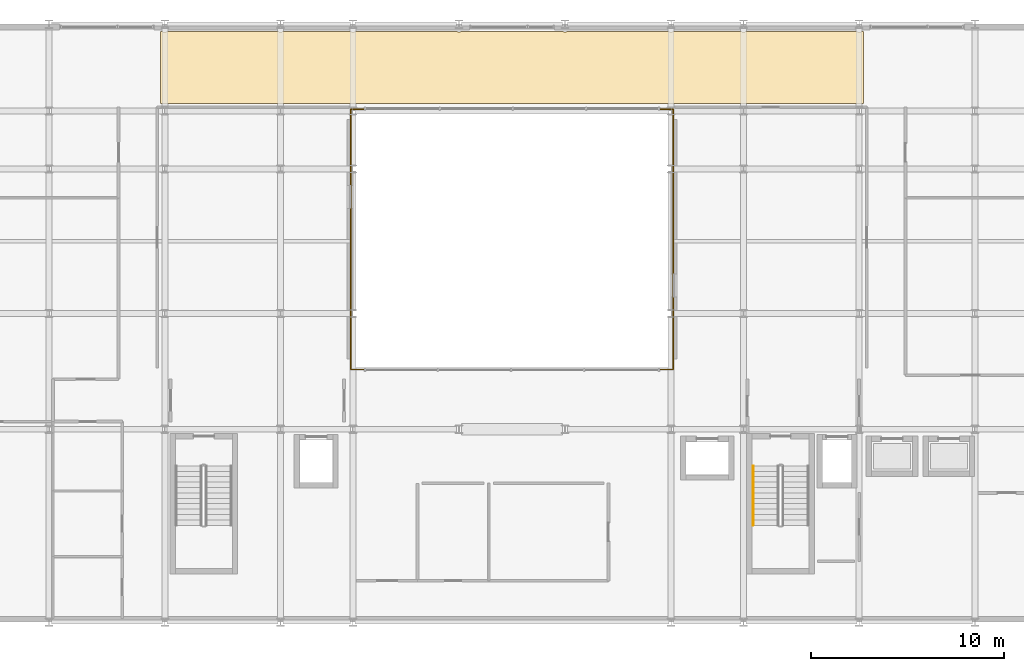
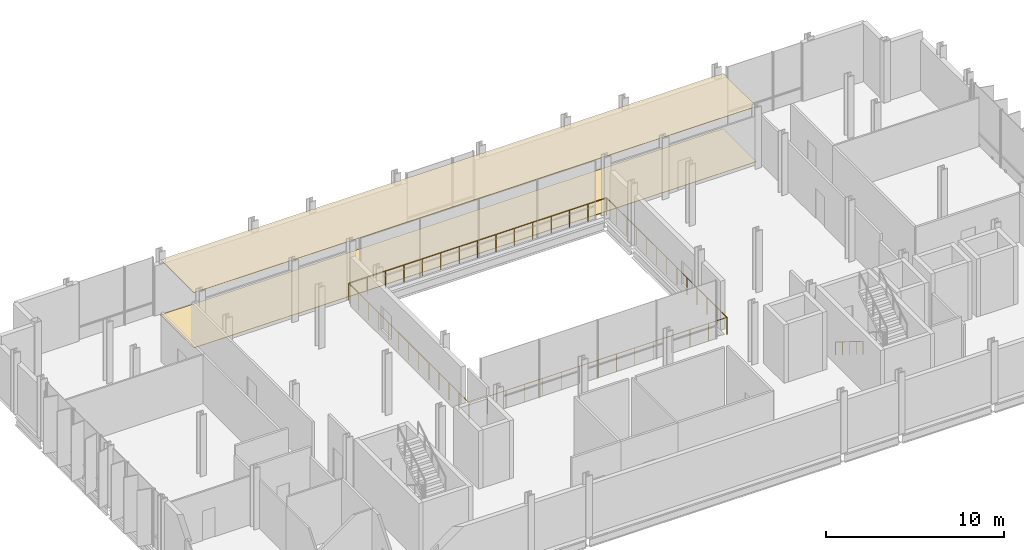
# One storey, part 30 of 32: 3 railings, 2 coverings.
"""IFC4 building model written with IfcOpenShell, lengths in metres."""

from ifc_helpers import new_model, si_unit, direction, frame, origin, origin_2d, place, context, subcontext, project, spatial, polyline, circle, outline, extrude, material, layer, layer_set, type_object, element, save


model = new_model("IFC4")

# Units and contexts
model_context = context("Model", 3, precision=1e-05, world=origin(), true_north=direction((0.0, 1.0)))
body_context = subcontext(model_context, "Body", "Model", "MODEL_VIEW")
ifc_project = project(units=[si_unit("LENGTHUNIT", "METRE"), si_unit("AREAUNIT", "SQUARE_METRE"), si_unit("VOLUMEUNIT", "CUBIC_METRE"), si_unit("PLANEANGLEUNIT", "RADIAN"), si_unit("MASSUNIT", "GRAM", prefix="KILO")], contexts=[model_context])

# Site, building, storey
site_placement = place(None, origin())
site = spatial("IfcSite", under=ifc_project, at=site_placement, CompositionType="ELEMENT")
building_placement = place(site_placement, origin())
building = spatial("IfcBuilding", under=site, at=building_placement, Name="Brevholm Reach", CompositionType="ELEMENT")
storey_placement = place(building_placement, frame((0.0, 0.0, 134.5)))
storey = spatial("IfcBuildingStorey", under=building, at=storey_placement, Name="L40", CompositionType="ELEMENT", Elevation=134.5)

# Coverings
ifc_material_1 = material(Name="Moisture-Resistant Skimmed Gypsum Plasterboard Ceiling", Category="gypsum")
ifc_layer_1 = layer(ifc_material_1, 0.030029296875)
ifc_layer_set_1 = layer_set([ifc_layer_1], Name="Moisture-Resistant Skimmed Gypsum Plasterboard Ceiling")
covering_type_1 = type_object("IfcCoveringType", Name="COV-CLG-GYP", PredefinedType="CEILING", material=ifc_layer_set_1)
covering_1_placement = place(storey_placement, frame((0.0, 0.0, 3.780029296875)))
element("IfcCovering", 1, at=covering_1_placement, inside=storey, type_object=covering_type_1, Name="L40 Suspended Ceiling L40-30", PredefinedType="CEILING", context=body_context, shape_type="SweptSolid", body=[
    extrude(outline(polyline([(11.780029296875, 30.6201171875), (11.876220703125, 30.6201171875), (11.8837890625, 30.6171875), (11.922119140625, 30.607666015625), (11.960693359375, 30.601806640625), (12.0, 30.60009765625), (12.039306640625, 30.601806640625), (12.077880859375, 30.607666015625), (12.1162109375, 30.6171875), (12.123779296875, 30.6201171875), (17.876220703125, 30.6201171875), (17.8837890625, 30.6171875), (17.922119140625, 30.607666015625), (17.960693359375, 30.601806640625), (18.0, 30.60009765625), (18.039306640625, 30.601806640625), (18.077880859375, 30.607666015625), (18.1162109375, 30.6171875), (18.123779296875, 30.6201171875), (21.626220703125, 30.6201171875), (21.6337890625, 30.6171875), (21.672119140625, 30.607666015625), (21.710693359375, 30.601806640625), (21.75, 30.60009765625), (21.789306640625, 30.601806640625), (21.827880859375, 30.607666015625), (21.8662109375, 30.6171875), (21.873779296875, 30.6201171875), (27.126220703125, 30.6201171875), (27.1337890625, 30.6171875), (27.172119140625, 30.607666015625), (27.210693359375, 30.601806640625), (27.25, 30.60009765625), (27.289306640625, 30.601806640625), (27.327880859375, 30.607666015625), (27.3662109375, 30.6171875), (27.373779296875, 30.6201171875), (32.626220703125, 30.6201171875), (32.6337890625, 30.6171875), (32.672119140625, 30.607666015625), (32.710693359375, 30.601806640625), (32.75, 30.60009765625), (32.789306640625, 30.601806640625), (32.827880859375, 30.607666015625), (32.8662109375, 30.6171875), (32.873779296875, 30.6201171875), (38.126220703125, 30.6201171875), (38.1337890625, 30.6171875), (38.172119140625, 30.607666015625), (38.210693359375, 30.601806640625), (38.25, 30.60009765625), (38.289306640625, 30.601806640625), (38.327880859375, 30.607666015625), (38.3662109375, 30.6171875), (38.373779296875, 30.6201171875), (41.876220703125, 30.6201171875), (41.8837890625, 30.6171875), (41.922119140625, 30.607666015625), (41.960693359375, 30.601806640625), (42.0, 30.60009765625), (42.039306640625, 30.601806640625), (42.077880859375, 30.607666015625), (42.1162109375, 30.6171875), (42.123779296875, 30.6201171875), (47.876220703125, 30.6201171875), (47.8837890625, 30.6171875), (47.922119140625, 30.607666015625), (47.960693359375, 30.601806640625), (48.0, 30.60009765625), (48.039306640625, 30.601806640625), (48.077880859375, 30.607666015625), (48.1162109375, 30.6171875), (48.123779296875, 30.6201171875), (48.219970703125, 30.6201171875), (48.219970703125, 26.8798828125), (48.123779296875, 26.8798828125), (48.1162109375, 26.8828125), (48.077880859375, 26.892333984375), (48.039306640625, 26.898193359375), (48.0, 26.89990234375), (47.960693359375, 26.898193359375), (47.922119140625, 26.892333984375), (47.8837890625, 26.8828125), (47.876220703125, 26.8798828125), (42.123779296875, 26.8798828125), (42.1162109375, 26.8828125), (42.077880859375, 26.892333984375), (42.039306640625, 26.898193359375), (42.0, 26.89990234375), (41.960693359375, 26.898193359375), (41.922119140625, 26.892333984375), (41.8837890625, 26.8828125), (41.876220703125, 26.8798828125), (38.373779296875, 26.8798828125), (38.3662109375, 26.8828125), (38.327880859375, 26.892333984375), (38.289306640625, 26.898193359375), (38.25, 26.89990234375), (38.210693359375, 26.898193359375), (38.172119140625, 26.892333984375), (38.1337890625, 26.8828125), (38.126220703125, 26.8798828125), (21.873779296875, 26.8798828125), (21.8662109375, 26.8828125), (21.827880859375, 26.892333984375), (21.789306640625, 26.898193359375), (21.75, 26.89990234375), (21.710693359375, 26.898193359375), (21.672119140625, 26.892333984375), (21.6337890625, 26.8828125), (21.626220703125, 26.8798828125), (21.58740234375, 26.8798828125), (21.585205078125, 26.880615234375), (21.567626953125, 26.883056640625), (21.550048828125, 26.884033203125), (18.111083984375, 26.884033203125), (18.077880859375, 26.892333984375), (18.039306640625, 26.898193359375), (18.0, 26.89990234375), (17.960693359375, 26.898193359375), (17.922119140625, 26.892333984375), (17.888916015625, 26.884033203125), (12.111083984375, 26.884033203125), (12.077880859375, 26.892333984375), (12.039306640625, 26.898193359375), (12.0, 26.89990234375), (11.960693359375, 26.898193359375), (11.922119140625, 26.892333984375), (11.888916015625, 26.884033203125), (11.780029296875, 26.884033203125), (11.780029296875, 30.6201171875)])), origin(), (0.0, 0.0, 1.0), 0.030029296875),
])
ifc_material_2 = material(Name="Honed Portland-Aggregate Resin Terrazzo Flooring", Category="concrete")
ifc_layer_2 = layer(ifc_material_2, 0.031982421875)
ifc_layer_set_2 = layer_set([ifc_layer_2], Name="Honed Portland-Aggregate Resin Terrazzo Flooring")
covering_type_2 = type_object("IfcCoveringType", Name="COV-FLR-TRZ", PredefinedType="FLOORING", material=ifc_layer_set_2)
covering_2_placement = place(storey_placement, origin())
element("IfcCovering", 2, at=covering_2_placement, inside=storey, type_object=covering_type_2, Name="L40 Floor Finish L40-30", PredefinedType="FLOORING", context=body_context, shape_type="SweptSolid", body=[
    extrude(outline(polyline([(11.780029296875, 30.6201171875), (11.876220703125, 30.6201171875), (11.8837890625, 30.6171875), (11.922119140625, 30.607666015625), (11.960693359375, 30.601806640625), (12.0, 30.60009765625), (12.039306640625, 30.601806640625), (12.077880859375, 30.607666015625), (12.1162109375, 30.6171875), (12.123779296875, 30.6201171875), (17.876220703125, 30.6201171875), (17.8837890625, 30.6171875), (17.922119140625, 30.607666015625), (17.960693359375, 30.601806640625), (18.0, 30.60009765625), (18.039306640625, 30.601806640625), (18.077880859375, 30.607666015625), (18.1162109375, 30.6171875), (18.123779296875, 30.6201171875), (21.626220703125, 30.6201171875), (21.6337890625, 30.6171875), (21.672119140625, 30.607666015625), (21.710693359375, 30.601806640625), (21.75, 30.60009765625), (21.789306640625, 30.601806640625), (21.827880859375, 30.607666015625), (21.8662109375, 30.6171875), (21.873779296875, 30.6201171875), (27.126220703125, 30.6201171875), (27.1337890625, 30.6171875), (27.172119140625, 30.607666015625), (27.210693359375, 30.601806640625), (27.25, 30.60009765625), (27.289306640625, 30.601806640625), (27.327880859375, 30.607666015625), (27.3662109375, 30.6171875), (27.373779296875, 30.6201171875), (32.626220703125, 30.6201171875), (32.6337890625, 30.6171875), (32.672119140625, 30.607666015625), (32.710693359375, 30.601806640625), (32.75, 30.60009765625), (32.789306640625, 30.601806640625), (32.827880859375, 30.607666015625), (32.8662109375, 30.6171875), (32.873779296875, 30.6201171875), (38.126220703125, 30.6201171875), (38.1337890625, 30.6171875), (38.172119140625, 30.607666015625), (38.210693359375, 30.601806640625), (38.25, 30.60009765625), (38.289306640625, 30.601806640625), (38.327880859375, 30.607666015625), (38.3662109375, 30.6171875), (38.373779296875, 30.6201171875), (41.876220703125, 30.6201171875), (41.8837890625, 30.6171875), (41.922119140625, 30.607666015625), (41.960693359375, 30.601806640625), (42.0, 30.60009765625), (42.039306640625, 30.601806640625), (42.077880859375, 30.607666015625), (42.1162109375, 30.6171875), (42.123779296875, 30.6201171875), (47.876220703125, 30.6201171875), (47.8837890625, 30.6171875), (47.922119140625, 30.607666015625), (47.960693359375, 30.601806640625), (48.0, 30.60009765625), (48.039306640625, 30.601806640625), (48.077880859375, 30.607666015625), (48.1162109375, 30.6171875), (48.123779296875, 30.6201171875), (48.219970703125, 30.6201171875), (48.219970703125, 26.8798828125), (48.123779296875, 26.8798828125), (48.1162109375, 26.8828125), (48.077880859375, 26.892333984375), (48.039306640625, 26.898193359375), (48.0, 26.89990234375), (47.960693359375, 26.898193359375), (47.922119140625, 26.892333984375), (47.8837890625, 26.8828125), (47.876220703125, 26.8798828125), (42.123779296875, 26.8798828125), (42.1162109375, 26.8828125), (42.077880859375, 26.892333984375), (42.039306640625, 26.898193359375), (42.0, 26.89990234375), (41.960693359375, 26.898193359375), (41.922119140625, 26.892333984375), (41.8837890625, 26.8828125), (41.876220703125, 26.8798828125), (38.373779296875, 26.8798828125), (38.3662109375, 26.8828125), (38.327880859375, 26.892333984375), (38.289306640625, 26.898193359375), (38.25, 26.89990234375), (38.210693359375, 26.898193359375), (38.172119140625, 26.892333984375), (38.1337890625, 26.8828125), (38.126220703125, 26.8798828125), (21.873779296875, 26.8798828125), (21.8662109375, 26.8828125), (21.827880859375, 26.892333984375), (21.789306640625, 26.898193359375), (21.75, 26.89990234375), (21.710693359375, 26.898193359375), (21.672119140625, 26.892333984375), (21.6337890625, 26.8828125), (21.626220703125, 26.8798828125), (21.58740234375, 26.8798828125), (21.585205078125, 26.880615234375), (21.567626953125, 26.883056640625), (21.550048828125, 26.884033203125), (18.111083984375, 26.884033203125), (18.077880859375, 26.892333984375), (18.039306640625, 26.898193359375), (18.0, 26.89990234375), (17.960693359375, 26.898193359375), (17.922119140625, 26.892333984375), (17.888916015625, 26.884033203125), (12.111083984375, 26.884033203125), (12.077880859375, 26.892333984375), (12.039306640625, 26.898193359375), (12.0, 26.89990234375), (11.960693359375, 26.898193359375), (11.922119140625, 26.892333984375), (11.888916015625, 26.884033203125), (11.780029296875, 26.884033203125), (11.780029296875, 30.6201171875)])), origin(), (0.0, 0.0, 1.0), 0.031982421875),
])

# Railings
ifc_material_3 = material(Name="Brushed Stainless Steel EN 1.4401 Continuous Handrail", Category="steel")
railing_type_1 = type_object("IfcRailingType", Name="RAL-HND-950", PredefinedType="HANDRAIL", material=ifc_material_3)
railing_1_placement = place(storey_placement, frame((42.5, 8.10009765625, 0.175048828125)))
element("IfcRailing", 3, at=railing_1_placement, inside=storey, type_object=railing_type_1, Name="L40 ST-2 stair handrail 1", PredefinedType="HANDRAIL", context=body_context, shape_type="SweptSolid", body=[
    extrude(circle(Radius=0.02392578125, at=origin_2d()), frame((0.0, 0.0, 0.8857421875), z_axis=(0.0, -0.847998304005, 0.529998940003), x_axis=(1.0, 0.0, 0.0)), (0.0, 0.0, 1.0), 3.632080078125),
    extrude(circle(Radius=0.02099609375, at=origin_2d()), origin(), (0.0, 0.0, 1.0), 0.86181640625),
    extrude(circle(Radius=0.02099609375, at=origin_2d()), frame((0.0, -0.77001953125, 0.481201171875)), (0.0, 0.0, 1.0), 0.86181640625),
    extrude(circle(Radius=0.02099609375, at=origin_2d()), frame((0.0, -1.5400390625, 0.96240234375)), (0.0, 0.0, 1.0), 0.86181640625),
    extrude(circle(Radius=0.02099609375, at=origin_2d()), frame((0.0, -2.31005859375, 1.44384765625)), (0.0, 0.0, 1.0), 0.86181640625),
    extrude(circle(Radius=0.02099609375, at=origin_2d()), frame((0.0, -3.080078125, 1.925048828125)), (0.0, 0.0, 1.0), 0.86181640625),
])
ifc_material_4 = material(Name="Brushed Stainless Steel EN 1.4401 and Laminated Glass", Category="steel")
railing_type_2 = type_object("IfcRailingType", Name="RAL-TERR-1200", PredefinedType="BALUSTRADE", material=ifc_material_4)
railing_2_placement = place(storey_placement, frame((21.64990234375, 13.10009765625, 0.0)))
element("IfcRailing", 4, at=railing_2_placement, inside=storey, type_object=railing_type_2, Name="L40 Guard Balustrade RAL-L40-AT-VOID-SW", PredefinedType="BALUSTRADE", context=body_context, shape_type="SweptSolid", body=[
    extrude(circle(Radius=0.02392578125, at=origin_2d()), frame((0.0, 0.0, 1.17578125), z_axis=(1.0, 0.0, 0.0), x_axis=(0.0, 1.0, 0.0)), (0.0, 0.0, 1.0), 16.7001953125),
    extrude(circle(Radius=0.02392578125, at=origin_2d()), frame((16.7001953125, 0.0, 1.17578125), z_axis=(0.0, 1.0, 0.0), x_axis=(-1.0, 0.0, 0.0)), (0.0, 0.0, 1.0), 13.47998046875),
    extrude(circle(Radius=0.02099609375, at=origin_2d()), origin(), (0.0, 0.0, 1.0), 1.15185546875),
    extrude(circle(Radius=0.02099609375, at=origin_2d()), frame((1.19287109375, 0.0, 0.0)), (0.0, 0.0, 1.0), 1.15185546875),
    extrude(circle(Radius=0.02099609375, at=origin_2d()), frame((2.3857421875, 0.0, 0.0)), (0.0, 0.0, 1.0), 1.15185546875),
    extrude(circle(Radius=0.02099609375, at=origin_2d()), frame((3.57861328125, 0.0, 0.0)), (0.0, 0.0, 1.0), 1.15185546875),
    extrude(circle(Radius=0.02099609375, at=origin_2d()), frame((4.771484375, 0.0, 0.0)), (0.0, 0.0, 1.0), 1.15185546875),
    extrude(circle(Radius=0.02099609375, at=origin_2d()), frame((5.96435546875, 0.0, 0.0)), (0.0, 0.0, 1.0), 1.15185546875),
    extrude(circle(Radius=0.02099609375, at=origin_2d()), frame((7.1572265625, 0.0, 0.0)), (0.0, 0.0, 1.0), 1.15185546875),
    extrude(circle(Radius=0.02099609375, at=origin_2d()), frame((8.35009765625, 0.0, 0.0)), (0.0, 0.0, 1.0), 1.15185546875),
    extrude(circle(Radius=0.02099609375, at=origin_2d()), frame((9.54296875, 0.0, 0.0)), (0.0, 0.0, 1.0), 1.15185546875),
    extrude(circle(Radius=0.02099609375, at=origin_2d()), frame((10.73583984375, 0.0, 0.0)), (0.0, 0.0, 1.0), 1.15185546875),
    extrude(circle(Radius=0.02099609375, at=origin_2d()), frame((11.9287109375, 0.0, 0.0)), (0.0, 0.0, 1.0), 1.15185546875),
    extrude(circle(Radius=0.02099609375, at=origin_2d()), frame((13.12158203125, 0.0, 0.0)), (0.0, 0.0, 1.0), 1.15185546875),
    extrude(circle(Radius=0.02099609375, at=origin_2d()), frame((14.314453125, 0.0, 0.0)), (0.0, 0.0, 1.0), 1.15185546875),
    extrude(circle(Radius=0.02099609375, at=origin_2d()), frame((15.50732421875, 0.0, 0.0)), (0.0, 0.0, 1.0), 1.15185546875),
    extrude(circle(Radius=0.02099609375, at=origin_2d()), frame((16.7001953125, 0.0, 0.0)), (0.0, 0.0, 1.0), 1.15185546875),
    extrude(circle(Radius=0.02099609375, at=origin_2d()), frame((16.7001953125, 1.123291015625, 0.0)), (0.0, 0.0, 1.0), 1.15185546875),
    extrude(circle(Radius=0.02099609375, at=origin_2d()), frame((16.7001953125, 2.24658203125, 0.0)), (0.0, 0.0, 1.0), 1.15185546875),
    extrude(circle(Radius=0.02099609375, at=origin_2d()), frame((16.7001953125, 3.3701171875, 0.0)), (0.0, 0.0, 1.0), 1.15185546875),
    extrude(circle(Radius=0.02099609375, at=origin_2d()), frame((16.7001953125, 4.493408203125, 0.0)), (0.0, 0.0, 1.0), 1.15185546875),
    extrude(circle(Radius=0.02099609375, at=origin_2d()), frame((16.7001953125, 5.61669921875, 0.0)), (0.0, 0.0, 1.0), 1.15185546875),
    extrude(circle(Radius=0.02099609375, at=origin_2d()), frame((16.7001953125, 6.739990234375, 0.0)), (0.0, 0.0, 1.0), 1.15185546875),
    extrude(circle(Radius=0.02099609375, at=origin_2d()), frame((16.7001953125, 7.86328125, 0.0)), (0.0, 0.0, 1.0), 1.15185546875),
    extrude(circle(Radius=0.02099609375, at=origin_2d()), frame((16.7001953125, 8.986572265625, 0.0)), (0.0, 0.0, 1.0), 1.15185546875),
    extrude(circle(Radius=0.02099609375, at=origin_2d()), frame((16.7001953125, 10.10986328125, 0.0)), (0.0, 0.0, 1.0), 1.15185546875),
    extrude(circle(Radius=0.02099609375, at=origin_2d()), frame((16.7001953125, 11.2333984375, 0.0)), (0.0, 0.0, 1.0), 1.15185546875),
    extrude(circle(Radius=0.02099609375, at=origin_2d()), frame((16.7001953125, 12.356689453125, 0.0)), (0.0, 0.0, 1.0), 1.15185546875),
    extrude(circle(Radius=0.02099609375, at=origin_2d()), frame((16.7001953125, 13.47998046875, 0.0)), (0.0, 0.0, 1.0), 1.15185546875),
])
railing_3_placement = place(storey_placement, frame((38.330078125, 26.60009765625, 0.0)))
element("IfcRailing", 5, at=railing_3_placement, inside=storey, type_object=railing_type_2, Name="L40 Guard Balustrade RAL-L40-AT-VOID-NE", PredefinedType="BALUSTRADE", context=body_context, shape_type="SweptSolid", body=[
    extrude(circle(Radius=0.02392578125, at=origin_2d()), frame((0.0, 0.0, 1.17578125), z_axis=(-1.0, 0.0, 0.0), x_axis=(0.0, -1.0, 0.0)), (0.0, 0.0, 1.0), 16.68017578125),
    extrude(circle(Radius=0.02392578125, at=origin_2d()), frame((-16.68017578125, 0.0, 1.17578125), z_axis=(0.0, -1.0, 0.0), x_axis=(1.0, 0.0, 0.0)), (0.0, 0.0, 1.0), 13.47998046875),
    extrude(circle(Radius=0.02099609375, at=origin_2d()), origin(), (0.0, 0.0, 1.0), 1.15185546875),
    extrude(circle(Radius=0.02099609375, at=origin_2d()), frame((-1.19140625, 0.0, 0.0)), (0.0, 0.0, 1.0), 1.15185546875),
    extrude(circle(Radius=0.02099609375, at=origin_2d()), frame((-2.3828125, 0.0, 0.0)), (0.0, 0.0, 1.0), 1.15185546875),
    extrude(circle(Radius=0.02099609375, at=origin_2d()), frame((-3.57421875, 0.0, 0.0)), (0.0, 0.0, 1.0), 1.15185546875),
    extrude(circle(Radius=0.02099609375, at=origin_2d()), frame((-4.765869140625, 0.0, 0.0)), (0.0, 0.0, 1.0), 1.15185546875),
    extrude(circle(Radius=0.02099609375, at=origin_2d()), frame((-5.957275390625, 0.0, 0.0)), (0.0, 0.0, 1.0), 1.15185546875),
    extrude(circle(Radius=0.02099609375, at=origin_2d()), frame((-7.148681640625, 0.0, 0.0)), (0.0, 0.0, 1.0), 1.15185546875),
    extrude(circle(Radius=0.02099609375, at=origin_2d()), frame((-8.340087890625, 0.0, 0.0)), (0.0, 0.0, 1.0), 1.15185546875),
    extrude(circle(Radius=0.02099609375, at=origin_2d()), frame((-9.531494140625, 0.0, 0.0)), (0.0, 0.0, 1.0), 1.15185546875),
    extrude(circle(Radius=0.02099609375, at=origin_2d()), frame((-10.722900390625, 0.0, 0.0)), (0.0, 0.0, 1.0), 1.15185546875),
    extrude(circle(Radius=0.02099609375, at=origin_2d()), frame((-11.914306640625, 0.0, 0.0)), (0.0, 0.0, 1.0), 1.15185546875),
    extrude(circle(Radius=0.02099609375, at=origin_2d()), frame((-13.10595703125, 0.0, 0.0)), (0.0, 0.0, 1.0), 1.15185546875),
    extrude(circle(Radius=0.02099609375, at=origin_2d()), frame((-14.29736328125, 0.0, 0.0)), (0.0, 0.0, 1.0), 1.15185546875),
    extrude(circle(Radius=0.02099609375, at=origin_2d()), frame((-15.48876953125, 0.0, 0.0)), (0.0, 0.0, 1.0), 1.15185546875),
    extrude(circle(Radius=0.02099609375, at=origin_2d()), frame((-16.68017578125, 0.0, 0.0)), (0.0, 0.0, 1.0), 1.15185546875),
    extrude(circle(Radius=0.02099609375, at=origin_2d()), frame((-16.68017578125, -1.123291015625, 0.0)), (0.0, 0.0, 1.0), 1.15185546875),
    extrude(circle(Radius=0.02099609375, at=origin_2d()), frame((-16.68017578125, -2.24658203125, 0.0)), (0.0, 0.0, 1.0), 1.15185546875),
    extrude(circle(Radius=0.02099609375, at=origin_2d()), frame((-16.68017578125, -3.3701171875, 0.0)), (0.0, 0.0, 1.0), 1.15185546875),
    extrude(circle(Radius=0.02099609375, at=origin_2d()), frame((-16.68017578125, -4.493408203125, 0.0)), (0.0, 0.0, 1.0), 1.15185546875),
    extrude(circle(Radius=0.02099609375, at=origin_2d()), frame((-16.68017578125, -5.61669921875, 0.0)), (0.0, 0.0, 1.0), 1.15185546875),
    extrude(circle(Radius=0.02099609375, at=origin_2d()), frame((-16.68017578125, -6.739990234375, 0.0)), (0.0, 0.0, 1.0), 1.15185546875),
    extrude(circle(Radius=0.02099609375, at=origin_2d()), frame((-16.68017578125, -7.86328125, 0.0)), (0.0, 0.0, 1.0), 1.15185546875),
    extrude(circle(Radius=0.02099609375, at=origin_2d()), frame((-16.68017578125, -8.986572265625, 0.0)), (0.0, 0.0, 1.0), 1.15185546875),
    extrude(circle(Radius=0.02099609375, at=origin_2d()), frame((-16.68017578125, -10.10986328125, 0.0)), (0.0, 0.0, 1.0), 1.15185546875),
    extrude(circle(Radius=0.02099609375, at=origin_2d()), frame((-16.68017578125, -11.2333984375, 0.0)), (0.0, 0.0, 1.0), 1.15185546875),
    extrude(circle(Radius=0.02099609375, at=origin_2d()), frame((-16.68017578125, -12.356689453125, 0.0)), (0.0, 0.0, 1.0), 1.15185546875),
    extrude(circle(Radius=0.02099609375, at=origin_2d()), frame((-16.68017578125, -13.47998046875, 0.0)), (0.0, 0.0, 1.0), 1.15185546875),
])

save(model, "model.ifc")
